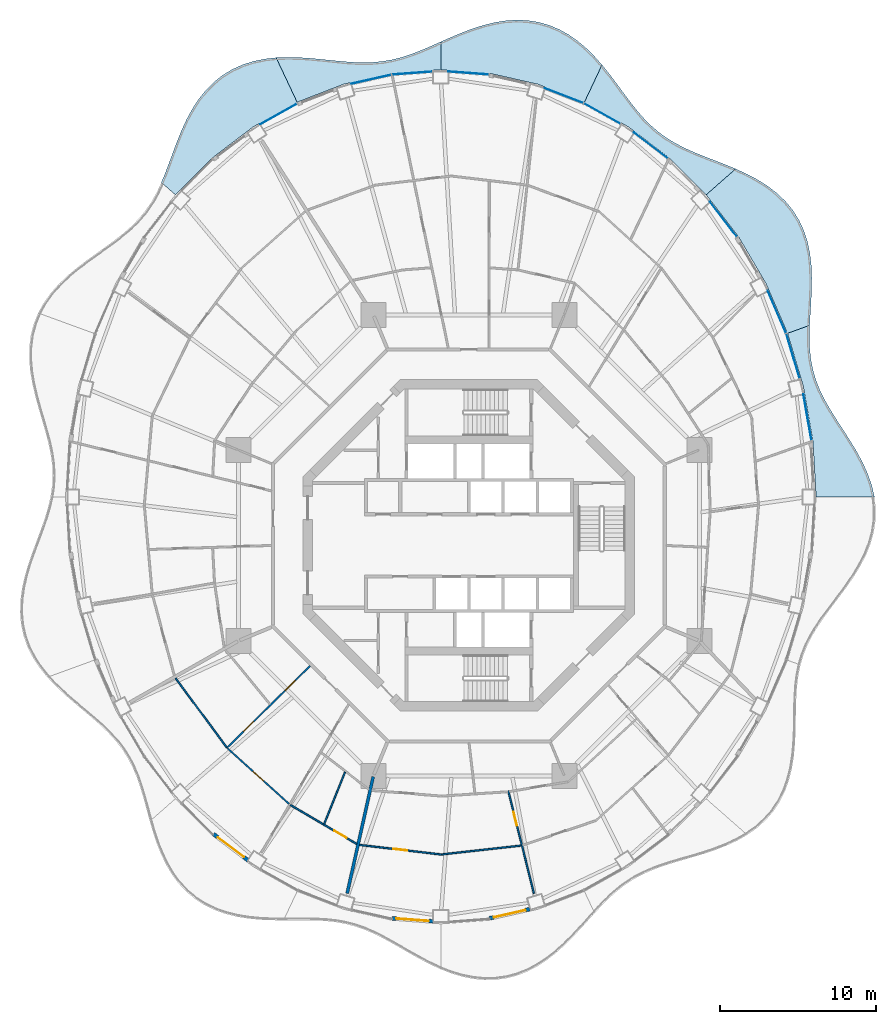
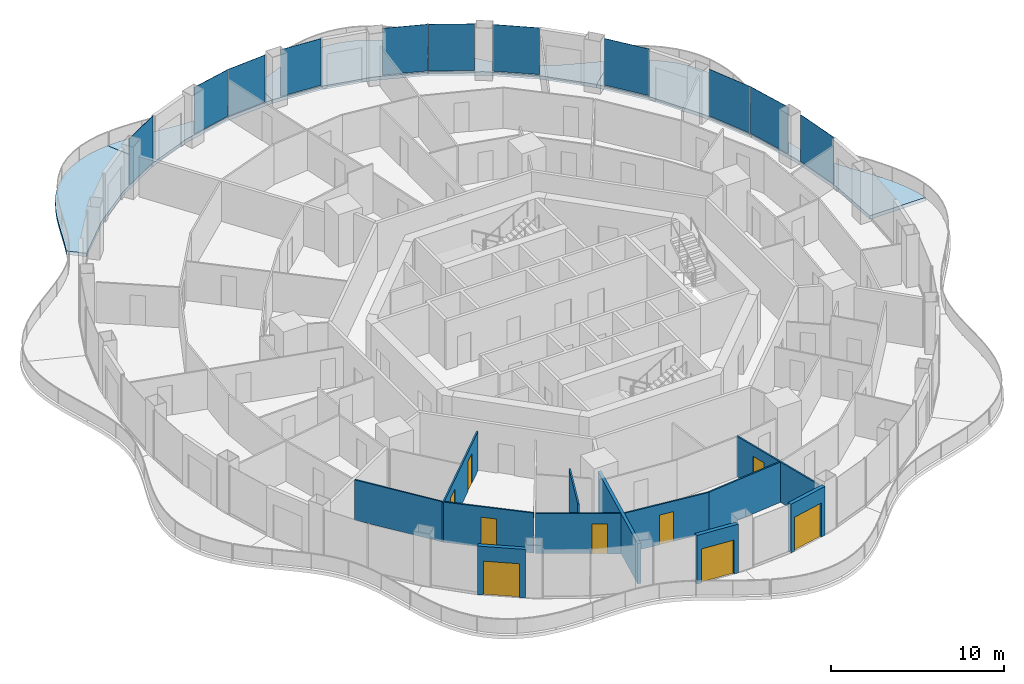
# One storey, part 9 of 18: 12 walls, 11 plates, 9 doors, 6 slabs, 9 openings, 11 elements without a shape of their own.
"""IFC4 building model written with IfcOpenShell, lengths in metres."""

from ifc_helpers import new_model, si_unit, direction, frame, frame_2d, origin, origin_2d, place, context, subcontext, project, spatial, polyline, rectangle, outline, extrude, material, layer, layer_set, type_object, element, fill, aggregate, save


model = new_model("IFC4")

# Units and contexts
model_context = context("Model", 3, precision=1e-05, world=origin(), true_north=direction((0.0, 1.0)))
body_context = subcontext(model_context, "Body", "Model", "MODEL_VIEW")
ifc_project = project(units=[si_unit("LENGTHUNIT", "METRE"), si_unit("AREAUNIT", "SQUARE_METRE"), si_unit("VOLUMEUNIT", "CUBIC_METRE"), si_unit("PLANEANGLEUNIT", "RADIAN"), si_unit("MASSUNIT", "GRAM", prefix="KILO")], contexts=[model_context])

# Site, building, storey
site_placement = place(None, origin())
site = spatial("IfcSite", under=ifc_project, at=site_placement, CompositionType="ELEMENT")
building_placement = place(site_placement, origin())
building = spatial("IfcBuilding", under=site, at=building_placement, Name="Nagisa Residences", CompositionType="ELEMENT")
storey_placement = place(building_placement, frame((0.0, 0.0, 241.800048828125)))
storey = spatial("IfcBuildingStorey", under=building, at=storey_placement, Name="L61", CompositionType="ELEMENT", Elevation=241.800048828125)

# Slabs
ifc_material_1 = material(Name="Concrete C40/50", Category="concrete")
ifc_layer_1 = layer(ifc_material_1, 0.25)
ifc_layer_set_1 = layer_set([ifc_layer_1], Name="BALCONY SLAB 250")
slab_type = type_object("IfcSlabType", Name="BALCONY SLAB 250", PredefinedType="FLOOR", material=ifc_layer_set_1)
slab_1_placement = place(storey_placement, frame((0.0, 0.0, -0.25)))
element("IfcSlab", 1, at=slab_1_placement, inside=storey, type_object=slab_type, Name="slab:L61:bal00", PredefinedType="FLOOR", context=body_context, shape_type="SweptSolid", body=[
    extrude(outline(polyline([(26.0107421875, 3.11767578125), (25.8349609375, 3.86279296875), (25.576904296875, 4.597412109375), (25.25, 5.31787109375), (24.8701171875, 6.021728515625), (24.45556640625, 6.708251953125), (24.02587890625, 7.37841796875), (23.599853515625, 8.0341796875), (23.195556640625, 8.6796875), (22.828857421875, 9.31982421875), (22.512451171875, 9.960693359375), (22.255126953125, 10.608154296875), (22.0615234375, 11.268310546875), (21.931884765625, 11.946044921875), (21.861328125, 12.645751953125), (21.841552734375, 13.369140625), (21.860107421875, 14.1171875), (20.437744140625, 13.599365234375), (21.449951171875, 10.206787109375), (22.06396484375, 6.69287109375), (22.27001953125, 3.11767578125), (26.0107421875, 3.11767578125)])), origin(), (0.0, 0.0, 1.0), 0.25),
])
slab_2_placement = place(storey_placement, frame((0.0, 0.0, -0.25)))
element("IfcSlab", 2, at=slab_2_placement, inside=storey, type_object=slab_type, Name="slab:L61:bal01", PredefinedType="FLOOR", context=body_context, shape_type="SweptSolid", body=[
    extrude(outline(polyline([(21.860107421875, 14.1171875), (21.900634765625, 14.863525390625), (21.947265625, 15.62744140625), (21.983642578125, 16.4033203125), (21.993408203125, 17.184326171875), (21.9609375, 17.9619140625), (21.872802734375, 18.72705078125), (21.717529296875, 19.47021484375), (21.487060546875, 20.18212890625), (21.1767578125, 20.854248046875), (20.785888671875, 21.480224609375), (20.31689453125, 22.054443359375), (19.776123046875, 22.57421875), (19.1728515625, 23.03955078125), (18.518310546875, 23.452880859375), (17.826416015625, 23.819580078125), (17.11083984375, 24.14697265625), (15.219970703125, 22.4853515625), (17.2958984375, 19.791748046875), (19.045166015625, 16.812744140625), (20.437744140625, 13.599365234375), (21.860107421875, 14.1171875)])), origin(), (0.0, 0.0, 1.0), 0.25),
])
slab_3_placement = place(storey_placement, frame((0.0, 0.0, -0.25)))
element("IfcSlab", 3, at=slab_3_placement, inside=storey, type_object=slab_type, Name="slab:L61:bal02", PredefinedType="FLOOR", context=body_context, shape_type="SweptSolid", body=[
    extrude(outline(polyline([(17.11083984375, 24.14697265625), (16.420166015625, 24.431396484375), (15.73291015625, 24.69921875), (15.06005859375, 24.960693359375), (14.409912109375, 25.226806640625), (13.789794921875, 25.508056640625), (13.203369140625, 25.814453125), (12.65283203125, 26.153564453125), (12.136962890625, 26.531982421875), (11.65283203125, 26.953125), (11.194580078125, 27.417724609375), (10.75537109375, 27.924072265625), (10.32666015625, 28.467041015625), (9.8994140625, 29.0390625), (9.46484375, 29.629638671875), (9.013916015625, 30.2265625), (8.539306640625, 30.816162109375), (7.4111328125, 28.4228515625), (10.235107421875, 26.838134765625), (12.852783203125, 24.84765625), (15.219970703125, 22.4853515625), (17.11083984375, 24.14697265625)])), origin(), (0.0, 0.0, 1.0), 0.25),
])
slab_4_placement = place(storey_placement, frame((0.0, 0.0, -0.25)))
element("IfcSlab", 4, at=slab_4_placement, inside=storey, type_object=slab_type, Name="slab:L61:bal03", PredefinedType="FLOOR", context=body_context, shape_type="SweptSolid", body=[
    extrude(outline(polyline([(8.539306640625, 30.816162109375), (8.053466796875, 31.36376953125), (7.535888671875, 31.878173828125), (6.984130859375, 32.34619140625), (6.39794921875, 32.757080078125), (5.779052734375, 33.1005859375), (5.130126953125, 33.369873046875), (4.45556640625, 33.5595703125), (3.76123046875, 33.668212890625), (3.05322265625, 33.6962890625), (2.338134765625, 33.648681640625), (1.622314453125, 33.531494140625), (0.91162109375, 33.3544921875), (0.211181640625, 33.129150390625), (-0.4755859375, 32.8681640625), (-1.146240234375, 32.585693359375), (-1.800048828125, 32.2958984375), (-1.800048828125, 30.5078125), (1.341796875, 30.2734375), (4.4296875, 29.574462890625), (7.4111328125, 28.4228515625), (8.539306640625, 30.816162109375)])), origin(), (0.0, 0.0, 1.0), 0.25),
])
slab_5_placement = place(storey_placement, frame((0.0, 0.0, -0.25)))
element("IfcSlab", 5, at=slab_5_placement, inside=storey, type_object=slab_type, Name="slab:L61:bal04", PredefinedType="FLOOR", context=body_context, shape_type="SweptSolid", body=[
    extrude(outline(polyline([(-1.800048828125, 32.2958984375), (-2.4375, 32.01171875), (-3.061279296875, 31.746337890625), (-3.67431640625, 31.510009765625), (-4.281005859375, 31.3115234375), (-4.88671875, 31.15673828125), (-5.496337890625, 31.04833984375), (-6.114990234375, 30.986328125), (-6.74658203125, 30.967529296875), (-7.394775390625, 30.986328125), (-8.061279296875, 31.0341796875), (-8.74658203125, 31.1005859375), (-9.44970703125, 31.174072265625), (-10.167724609375, 31.2412109375), (-10.895751953125, 31.28955078125), (-11.628173828125, 31.306396484375), (-12.35791015625, 31.27978515625), (-11.01123046875, 28.4228515625), (-8.02978515625, 29.574462890625), (-4.941650390625, 30.2734375), (-1.800048828125, 30.5078125), (-1.800048828125, 32.2958984375)])), origin(), (0.0, 0.0, 1.0), 0.25),
])
slab_6_placement = place(storey_placement, frame((0.0, 0.0, -0.25)))
element("IfcSlab", 6, at=slab_6_placement, inside=storey, type_object=slab_type, Name="slab:L61:bal05", PredefinedType="FLOOR", context=body_context, shape_type="SweptSolid", body=[
    extrude(outline(polyline([(-12.35791015625, 31.27978515625), (-13.103759765625, 31.19580078125), (-13.828857421875, 31.045654296875), (-14.52490234375, 30.82275390625), (-15.18310546875, 30.524169921875), (-15.796875, 30.149658203125), (-16.360595703125, 29.70263671875), (-16.871826171875, 29.188232421875), (-17.3291015625, 28.614990234375), (-17.734619140625, 27.993408203125), (-18.092529296875, 27.334716796875), (-18.4091796875, 26.651123046875), (-18.693115234375, 25.95556640625), (-18.954833984375, 25.260009765625), (-19.204833984375, 24.5751953125), (-19.455322265625, 23.91064453125), (-19.71728515625, 23.273681640625), (-18.820068359375, 22.4853515625), (-16.452880859375, 24.84765625), (-13.8349609375, 26.838134765625), (-11.01123046875, 28.4228515625), (-12.35791015625, 31.27978515625)])), origin(), (0.0, 0.0, 1.0), 0.25),
])

# Curtain wall, plate
ifc_material_2 = material(Name="Concrete-coloured aluminium curtain wall system", Category="concrete")
ifc_layer_2 = layer(ifc_material_2, 0.159912109375)
ifc_layer_set_2 = layer_set([ifc_layer_2], Name="CW1 CURTAIN WALL")
curtain_wall_type = type_object("IfcCurtainWallType", Name="CW1 CURTAIN WALL", PredefinedType="NOTDEFINED", material=ifc_layer_set_2)
curtain_wall_1_placement = place(storey_placement, origin())
curtain_wall_1 = element("IfcCurtainWall", 7, at=curtain_wall_1_placement, inside=storey, type_object=curtain_wall_type, Name="cw:CW1:L61:01", PredefinedType="NOTDEFINED")
ifc_material_3 = material(Name="Clear laminated glass", Category="glass")
ifc_layer_3 = layer(ifc_material_3, 0.028076171875)
ifc_layer_set_3 = layer_set([ifc_layer_3], Name="CW1 GLASS PANEL")
plate_type = type_object("IfcPlateType", Name="CW1 GLASS PANEL", PredefinedType="CURTAIN_PANEL", material=ifc_layer_set_3)
plate_1_placement = place(storey_placement, frame((21.716064453125, 8.21923828125, 0.14990234375), z_axis=(0.0, 0.0, 1.0), x_axis=(-0.172190868898, 0.985063604377, 0.0)))
plate_1 = element("IfcPlate", 8, at=plate_1_placement, type_object=plate_type, Name="CW1 panel", PredefinedType="CURTAIN_PANEL", context=body_context, shape_type="SweptSolid", body=[
    extrude(rectangle(XDim=3.00732421875, YDim=0.028076171875, at=origin_2d()), origin(), (0.0, 0.0, 1.0), 3.2900390625),
])
aggregate(curtain_wall_1, [plate_1])

curtain_wall_2_placement = place(storey_placement, origin())
curtain_wall_2 = element("IfcCurtainWall", 9, at=curtain_wall_2_placement, inside=storey, type_object=curtain_wall_type, Name="cw:CW1:L61:02", PredefinedType="NOTDEFINED")
plate_2_placement = place(storey_placement, frame((20.787109375, 12.1484375, 0.14990234375), z_axis=(0.0, 0.0, 1.0), x_axis=(-0.285860274038, 0.958271310082, 0.0)))
plate_2 = element("IfcPlate", 10, at=plate_2_placement, type_object=plate_type, Name="CW1 panel", PredefinedType="CURTAIN_PANEL", context=body_context, shape_type="SweptSolid", body=[
    extrude(rectangle(XDim=2.98046875, YDim=0.028076171875, at=origin_2d()), origin(), (0.0, 0.0, 1.0), 3.2900390625),
])
aggregate(curtain_wall_2, [plate_2])

curtain_wall_3_placement = place(storey_placement, origin())
curtain_wall_3 = element("IfcCurtainWall", 11, at=curtain_wall_3_placement, inside=storey, type_object=curtain_wall_type, Name="cw:CW1:L61:03", PredefinedType="NOTDEFINED")
plate_3_placement = place(storey_placement, frame((19.755615234375, 14.972412109375, 0.14990234375), z_axis=(0.0, 0.0, 1.0), x_axis=(-0.397635934147, 0.917543276295, 0.0)))
plate_3 = element("IfcPlate", 12, at=plate_3_placement, type_object=plate_type, Name="CW1 panel", PredefinedType="CURTAIN_PANEL", context=body_context, shape_type="SweptSolid", body=[
    extrude(rectangle(XDim=2.942138671875, YDim=0.028076171875, at=origin_2d()), origin(), (0.0, 0.0, 1.0), 3.2900390625),
])
aggregate(curtain_wall_3, [plate_3])

curtain_wall_4_placement = place(storey_placement, origin())
curtain_wall_4 = element("IfcCurtainWall", 13, at=curtain_wall_4_placement, inside=storey, type_object=curtain_wall_type, Name="cw:CW1:L61:05", PredefinedType="NOTDEFINED")
plate_4_placement = place(storey_placement, frame((16.328857421875, 20.91552734375, 0.14990234375), z_axis=(0.0, 0.0, 1.0), x_axis=(-0.610429828235, 0.792070340816, 0.0)))
plate_4 = element("IfcPlate", 14, at=plate_4_placement, type_object=plate_type, Name="CW1 panel", PredefinedType="CURTAIN_PANEL", context=body_context, shape_type="SweptSolid", body=[
    extrude(rectangle(XDim=2.8408203125, YDim=0.028076171875, at=origin_2d()), origin(), (0.0, 0.0, 1.0), 3.2900390625),
])
aggregate(curtain_wall_4, [plate_4])

curtain_wall_5_placement = place(storey_placement, origin())
curtain_wall_5 = element("IfcCurtainWall", 15, at=curtain_wall_5_placement, inside=storey, type_object=curtain_wall_type, Name="cw:CW1:L61:07", PredefinedType="NOTDEFINED")
plate_5_placement = place(storey_placement, frame((11.670654296875, 25.64599609375, 0.14990234375), z_axis=(0.0, 0.0, 1.0), x_axis=(-0.79603132756, 0.605255421737, 0.0)))
plate_5 = element("IfcPlate", 16, at=plate_5_placement, type_object=plate_type, Name="CW1 panel", PredefinedType="CURTAIN_PANEL", context=body_context, shape_type="SweptSolid", body=[
    extrude(rectangle(XDim=2.728759765625, YDim=0.028076171875, at=origin_2d()), origin(), (0.0, 0.0, 1.0), 3.2900390625),
])
aggregate(curtain_wall_5, [plate_5])

curtain_wall_6_placement = place(storey_placement, origin())
curtain_wall_6 = element("IfcCurtainWall", 17, at=curtain_wall_6_placement, inside=storey, type_object=curtain_wall_type, Name="cw:CW1:L61:08", PredefinedType="NOTDEFINED")
plate_6_placement = place(storey_placement, frame((8.539794921875, 27.69775390625, 0.14990234375), z_axis=(0.0, 0.0, 1.0), x_axis=(-0.872072377523, 0.489376918501, 0.0)))
plate_6 = element("IfcPlate", 18, at=plate_6_placement, type_object=plate_type, Name="CW1 panel", PredefinedType="CURTAIN_PANEL", context=body_context, shape_type="SweptSolid", body=[
    extrude(rectangle(XDim=2.677978515625, YDim=0.028076171875, at=origin_2d()), origin(), (0.0, 0.0, 1.0), 3.2900390625),
])
aggregate(curtain_wall_6, [plate_6])

curtain_wall_7_placement = place(storey_placement, origin())
curtain_wall_7 = element("IfcCurtainWall", 19, at=curtain_wall_7_placement, inside=storey, type_object=curtain_wall_type, Name="cw:CW1:L61:09", PredefinedType="NOTDEFINED")
plate_7_placement = place(storey_placement, frame((6.096923828125, 28.8447265625, 0.14990234375), z_axis=(0.0, 0.0, 1.0), x_axis=(-0.932825759707, 0.360327770268, 0.0)))
plate_7 = element("IfcPlate", 20, at=plate_7_placement, type_object=plate_type, Name="CW1 panel", PredefinedType="CURTAIN_PANEL", context=body_context, shape_type="SweptSolid", body=[
    extrude(rectangle(XDim=2.63623046875, YDim=0.028076171875, at=origin_2d()), origin(), (0.0, 0.0, 1.0), 3.2900390625),
])
aggregate(curtain_wall_7, [plate_7])

curtain_wall_8_placement = place(storey_placement, origin())
curtain_wall_8 = element("IfcCurtainWall", 21, at=curtain_wall_8_placement, inside=storey, type_object=curtain_wall_type, Name="cw:CW1:L61:11", PredefinedType="NOTDEFINED")
plate_8_placement = place(storey_placement, frame((-0.015625, 30.29443359375, 0.14990234375), z_axis=(0.0, 0.0, 1.0), x_axis=(-0.997230168512, 0.074377355493, 0.0)))
plate_8 = element("IfcPlate", 22, at=plate_8_placement, type_object=plate_type, Name="CW1 panel", PredefinedType="CURTAIN_PANEL", context=body_context, shape_type="SweptSolid", body=[
    extrude(rectangle(XDim=2.590576171875, YDim=0.028076171875, at=origin_2d()), origin(), (0.0, 0.0, 1.0), 3.2900390625),
])
aggregate(curtain_wall_8, [plate_8])

curtain_wall_9_placement = place(storey_placement, origin())
curtain_wall_9 = element("IfcCurtainWall", 23, at=curtain_wall_9_placement, inside=storey, type_object=curtain_wall_type, Name="cw:CW1:L61:12", PredefinedType="NOTDEFINED")
plate_9_placement = place(storey_placement, frame((-3.64404296875, 30.2900390625, 0.14990234375), z_axis=(0.0, 0.0, 1.0), x_axis=(-0.997230168512, -0.074377355493, 0.0)))
plate_9 = element("IfcPlate", 24, at=plate_9_placement, type_object=plate_type, Name="CW1 panel", PredefinedType="CURTAIN_PANEL", context=body_context, shape_type="SweptSolid", body=[
    extrude(rectangle(XDim=2.590576171875, YDim=0.028076171875, at=origin_2d()), origin(), (0.0, 0.0, 1.0), 3.2900390625),
])
aggregate(curtain_wall_9, [plate_9])

curtain_wall_10_placement = place(storey_placement, origin())
curtain_wall_10 = element("IfcCurtainWall", 25, at=curtain_wall_10_placement, inside=storey, type_object=curtain_wall_type, Name="cw:CW1:L61:13", PredefinedType="NOTDEFINED")
plate_10_placement = place(storey_placement, frame((-6.25341796875, 29.89453125, 0.14990234375), z_axis=(0.0, 0.0, 1.0), x_axis=(-0.975327274089, -0.2207639201, 0.0)))
plate_10 = element("IfcPlate", 26, at=plate_10_placement, type_object=plate_type, Name="CW1 panel", PredefinedType="CURTAIN_PANEL", context=body_context, shape_type="SweptSolid", body=[
    extrude(rectangle(XDim=2.606201171875, YDim=0.028076171875, at=origin_2d()), origin(), (0.0, 0.0, 1.0), 3.2900390625),
])
aggregate(curtain_wall_10, [plate_10])

curtain_wall_11_placement = place(storey_placement, origin())
curtain_wall_11 = element("IfcCurtainWall", 27, at=curtain_wall_11_placement, inside=storey, type_object=curtain_wall_type, Name="cw:CW1:L61:15", PredefinedType="NOTDEFINED")
plate_11_placement = place(storey_placement, frame((-12.192138671875, 27.66845703125, 0.14990234375), z_axis=(0.0, 0.0, 1.0), x_axis=(-0.872072377523, -0.489376918501, 0.0)))
plate_11 = element("IfcPlate", 28, at=plate_11_placement, type_object=plate_type, Name="CW1 panel", PredefinedType="CURTAIN_PANEL", context=body_context, shape_type="SweptSolid", body=[
    extrude(rectangle(XDim=2.677978515625, YDim=0.028076171875, at=origin_2d()), origin(), (0.0, 0.0, 1.0), 3.2900390625),
])
aggregate(curtain_wall_11, [plate_11])

# Walls
ifc_material_4 = material(Name="Gypsum board on steel studs", Category="steel")
ifc_layer_4 = layer(ifc_material_4, 0.199951171875)
ifc_layer_set_4 = layer_set([ifc_layer_4], Name="Apartment compartment wall EI60 200")
wall_type_1 = type_object("IfcWallType", Name="Apartment compartment wall EI60 200", PredefinedType="PARTITIONING", material=ifc_layer_set_4)
wall_1_placement = place(storey_placement, frame((-6.1337890625, -14.830810546875, 0.0), z_axis=(0.0, 0.0, 1.0), x_axis=(-0.217500172543, -0.976060282433, 0.0)))
element("IfcWall", 29, at=wall_1_placement, inside=storey, type_object=wall_type_1, Name="wall:L61:u05", PredefinedType="PARTITIONING", context=body_context, shape_type="SweptSolid", body=[
    extrude(rectangle(XDim=7.667724609375, YDim=0.199951171875, at=frame_2d((3.833984375, 0.0))), origin(), (0.0, 0.0, 1.0), 2.8369140625),
])
ifc_material_5 = material(Name="Gypsum board on steel studs", Category="steel")
ifc_layer_5 = layer(ifc_material_5, 0.10009765625)
ifc_layer_set_5 = layer_set([ifc_layer_5], Name="Apartment partition 100")
wall_type_2 = type_object("IfcWallType", Name="Apartment partition 100", PredefinedType="PARTITIONING", material=ifc_layer_set_5)
wall_2_placement = place(storey_placement, frame((-18.804443359375, -8.515625, 0.0), z_axis=(0.0, 0.0, 1.0), x_axis=(0.593233851441, -0.80503018422, 0.0)))
element("IfcWall", 30, at=wall_2_placement, inside=storey, type_object=wall_type_2, Name="wall:L61:u66", PredefinedType="PARTITIONING", context=body_context, shape_type="SweptSolid", body=[
    extrude(rectangle(XDim=5.501953125, YDim=0.10009765625, at=frame_2d((2.7509765625, 0.0))), origin(), (0.0, 0.0, 1.0), 2.8369140625),
])

# Wall, openings, doors
wall_3_placement = place(storey_placement, frame((-10.1826171875, -7.728271484375, 0.0), z_axis=(0.0, 0.0, 1.0), x_axis=(-0.711869910979, -0.702311348223, 0.0)))
wall_3 = element("IfcWall", 31, at=wall_3_placement, inside=storey, type_object=wall_type_2, Name="wall:L61:u67", PredefinedType="PARTITIONING", context=body_context, shape_type="SweptSolid", body=[
    extrude(rectangle(XDim=7.53466796875, YDim=0.10009765625, at=frame_2d((3.767333984375, 0.0))), origin(), (0.0, 0.0, 1.0), 2.761962890625),
])
opening_1_placement = place(wall_3_placement, frame((1.335205078125, 0.0, 0.0)))
opening_1 = element("IfcOpeningElement", 32, at=opening_1_placement, cuts=wall_3, Name="Opening L61-U02", PredefinedType="OPENING", context=body_context, shape_type="SweptSolid", body=[
    extrude(rectangle(XDim=0.89990234375, YDim=2.10009765625, at=frame_2d((0.449951171875, 1.050048828125))), frame((0.0, 0.06005859375, 0.0), z_axis=(0.0, -1.0, 0.0), x_axis=(1.0, 0.0, 0.0)), (0.0, 0.0, 1.0), 0.1201171875),
])
opening_2_placement = place(wall_3_placement, frame((5.077392578125, 0.0, 0.0)))
opening_2 = element("IfcOpeningElement", 33, at=opening_2_placement, cuts=wall_3, Name="Opening L61-U04", PredefinedType="OPENING", context=body_context, shape_type="SweptSolid", body=[
    extrude(rectangle(XDim=0.89990234375, YDim=2.10009765625, at=frame_2d((0.449951171875, 1.050048828125))), frame((0.0, 0.06005859375, 0.0), z_axis=(0.0, -1.0, 0.0), x_axis=(1.0, 0.0, 0.0)), (0.0, 0.0, 1.0), 0.1201171875),
])
ifc_material_6 = material(Name="Timber door set", Category="wood")
door_type_1 = type_object("IfcDoorType", Name="Apartment door 900x2100", OperationType="NOTDEFINED", PredefinedType="DOOR", material=ifc_material_6)
door_1_placement = place(opening_1_placement, frame((0.89990234375, 0.0, 0.0), x_axis=(-1.0, 0.0, 0.0)))
door_1 = element("IfcDoor", 34, at=door_1_placement, inside=storey, type_object=door_type_1, Name="Door to laundry, Apartment 61A", OperationType="SINGLE_SWING_LEFT", OverallHeight=2.10009765625, OverallWidth=0.89990234375, PredefinedType="DOOR", context=body_context, shape_type="SweptSolid", body=[
    extrude(rectangle(XDim=0.89990234375, YDim=2.10009765625, at=frame_2d((0.449951171875, 1.050048828125))), frame((0.0, 0.02490234375, 0.0), z_axis=(0.0, -1.0, 0.0), x_axis=(1.0, 0.0, 0.0)), (0.0, 0.0, 1.0), 0.050048828125),
])
fill(opening_1, door_1)
door_2_placement = place(opening_2_placement, frame((0.89990234375, 0.0, 0.0), x_axis=(-1.0, 0.0, 0.0)))
door_2 = element("IfcDoor", 35, at=door_2_placement, inside=storey, type_object=door_type_1, Name="Door to kitchen, Apartment 61A", OperationType="SINGLE_SWING_LEFT", OverallHeight=2.10009765625, OverallWidth=0.89990234375, PredefinedType="DOOR", context=body_context, shape_type="SweptSolid", body=[
    extrude(rectangle(XDim=0.89990234375, YDim=2.10009765625, at=frame_2d((0.449951171875, 1.050048828125))), frame((0.0, 0.02490234375, 0.0), z_axis=(0.0, -1.0, 0.0), x_axis=(1.0, 0.0, 0.0)), (0.0, 0.0, 1.0), 0.050048828125),
])
fill(opening_2, door_2)

# Wall, opening, door
wall_4_placement = place(storey_placement, frame((-15.4736328125, -13.0185546875, 0.0), z_axis=(0.0, 0.0, 1.0), x_axis=(0.742348572616, -0.670013878017, 0.0)))
wall_4 = element("IfcWall", 36, at=wall_4_placement, inside=storey, type_object=wall_type_2, Name="wall:L61:u68", PredefinedType="PARTITIONING", context=body_context, shape_type="SweptSolid", body=[
    extrude(rectangle(XDim=5.3193359375, YDim=0.10009765625, at=frame_2d((2.65966796875, 0.0))), origin(), (0.0, 0.0, 1.0), 2.8369140625),
])
opening_3_placement = place(wall_4_placement, frame((2.209716796875, 0.0, 0.0)))
opening_3 = element("IfcOpeningElement", 37, at=opening_3_placement, cuts=wall_4, Name="Opening L61-U06", PredefinedType="OPENING", context=body_context, shape_type="SweptSolid", body=[
    extrude(rectangle(XDim=0.89990234375, YDim=2.10009765625, at=frame_2d((0.449951171875, 1.050048828125))), frame((0.0, 0.06005859375, 0.0), z_axis=(0.0, -1.0, 0.0), x_axis=(1.0, 0.0, 0.0)), (0.0, 0.0, 1.0), 0.1201171875),
])
door_3_placement = place(opening_3_placement, frame((0.89990234375, 0.0, 0.0), x_axis=(-1.0, 0.0, 0.0)))
door_3 = element("IfcDoor", 38, at=door_3_placement, inside=storey, type_object=door_type_1, Name="Door to living room, Apartment 61A", OperationType="SINGLE_SWING_LEFT", OverallHeight=2.10009765625, OverallWidth=0.89990234375, PredefinedType="DOOR", context=body_context, shape_type="SweptSolid", body=[
    extrude(rectangle(XDim=0.89990234375, YDim=2.10009765625, at=frame_2d((0.449951171875, 1.050048828125))), frame((0.0, 0.02490234375, 0.0), z_axis=(0.0, -1.0, 0.0), x_axis=(1.0, 0.0, 0.0)), (0.0, 0.0, 1.0), 0.050048828125),
])
fill(opening_3, door_3)

wall_5_placement = place(storey_placement, frame((-11.444580078125, -16.641357421875, 0.0), z_axis=(0.0, 0.0, 1.0), x_axis=(0.861568986754, -0.507640503766, 0.0)))
wall_5 = element("IfcWall", 39, at=wall_5_placement, inside=storey, type_object=wall_type_2, Name="wall:L61:u71", PredefinedType="PARTITIONING", context=body_context, shape_type="SweptSolid", body=[
    extrude(rectangle(XDim=4.934814453125, YDim=0.10009765625, at=frame_2d((2.46728515625, 0.0))), origin(), (0.0, 0.0, 1.0), 2.8369140625),
])
opening_4_placement = place(wall_5_placement, frame((3.263671875, 0.0, 0.0)))
opening_4 = element("IfcOpeningElement", 40, at=opening_4_placement, cuts=wall_5, Name="Opening L61-U08", PredefinedType="OPENING", context=body_context, shape_type="SweptSolid", body=[
    extrude(rectangle(XDim=0.89990234375, YDim=2.10009765625, at=frame_2d((0.449951171875, 1.050048828125))), frame((0.0, 0.06005859375, 0.0), z_axis=(0.0, -1.0, 0.0), x_axis=(1.0, 0.0, 0.0)), (0.0, 0.0, 1.0), 0.1201171875),
])
door_4_placement = place(opening_4_placement, origin())
door_4 = element("IfcDoor", 41, at=door_4_placement, inside=storey, type_object=door_type_1, Name="Door to en-suite bathroom, Apartment 61A", OperationType="SINGLE_SWING_RIGHT", OverallHeight=2.10009765625, OverallWidth=0.89990234375, PredefinedType="DOOR", context=body_context, shape_type="SweptSolid", body=[
    extrude(rectangle(XDim=0.89990234375, YDim=2.10009765625, at=frame_2d((0.449951171875, 1.050048828125))), frame((0.0, 0.02490234375, 0.0), z_axis=(0.0, -1.0, 0.0), x_axis=(1.0, 0.0, 0.0)), (0.0, 0.0, 1.0), 0.050048828125),
])
fill(opening_4, door_4)

# Wall
wall_6_placement = place(storey_placement, frame((-7.93896484375, -14.530517578125, 0.0), z_axis=(0.0, 0.0, 1.0), x_axis=(-0.373254758443, -0.927728885666, 0.0)))
element("IfcWall", 42, at=wall_6_placement, inside=storey, type_object=wall_type_2, Name="wall:L61:u72", PredefinedType="PARTITIONING", context=body_context, shape_type="SweptSolid", body=[
    extrude(rectangle(XDim=3.5888671875, YDim=0.10009765625, at=frame_2d((1.79443359375, 0.0))), origin(), (0.0, 0.0, 1.0), 3.43994140625),
])

# Wall, opening, door
wall_7_placement = place(storey_placement, frame((-7.007568359375, -19.208984375, 0.0), z_axis=(0.0, 0.0, 1.0), x_axis=(0.993173459887, -0.116646811258, 0.0)))
wall_7 = element("IfcWall", 43, at=wall_7_placement, inside=storey, type_object=wall_type_2, Name="wall:L61:u74", PredefinedType="PARTITIONING", context=body_context, shape_type="SweptSolid", body=[
    extrude(rectangle(XDim=5.318359375, YDim=0.10009765625, at=frame_2d((2.6591796875, 0.0))), origin(), (0.0, 0.0, 1.0), 2.8369140625),
])
opening_5_placement = place(wall_7_placement, frame((2.18408203125, 0.0, 0.0)))
opening_5 = element("IfcOpeningElement", 44, at=opening_5_placement, cuts=wall_7, Name="Opening L61-U18", PredefinedType="OPENING", context=body_context, shape_type="SweptSolid", body=[
    extrude(rectangle(XDim=0.89990234375, YDim=2.10009765625, at=frame_2d((0.449951171875, 1.050048828125))), frame((0.0, 0.06005859375, 0.0), z_axis=(0.0, -1.0, 0.0), x_axis=(1.0, 0.0, 0.0)), (0.0, 0.0, 1.0), 0.1201171875),
])
door_5_placement = place(opening_5_placement, frame((0.89990234375, 0.0, 0.0), x_axis=(-1.0, 0.0, 0.0)))
door_5 = element("IfcDoor", 45, at=door_5_placement, inside=storey, type_object=door_type_1, Name="Door to living room, Apartment 61B", OperationType="SINGLE_SWING_LEFT", OverallHeight=2.10009765625, OverallWidth=0.89990234375, PredefinedType="DOOR", context=body_context, shape_type="SweptSolid", body=[
    extrude(rectangle(XDim=0.89990234375, YDim=2.10009765625, at=frame_2d((0.449951171875, 1.050048828125))), frame((0.0, 0.02490234375, 0.0), z_axis=(0.0, -1.0, 0.0), x_axis=(1.0, 0.0, 0.0)), (0.0, 0.0, 1.0), 0.050048828125),
])
fill(opening_5, door_5)

# Wall
wall_8_placement = place(storey_placement, frame((-1.7255859375, -19.81787109375, 0.0), z_axis=(0.0, 0.0, 1.0), x_axis=(0.99381893047, 0.111013212902, 0.0)))
element("IfcWall", 46, at=wall_8_placement, inside=storey, type_object=wall_type_2, Name="wall:L61:u76", PredefinedType="PARTITIONING", context=body_context, shape_type="SweptSolid", body=[
    extrude(rectangle(XDim=5.113037109375, YDim=0.10009765625, at=frame_2d((2.556640625, 0.0))), origin(), (0.0, 0.0, 1.0), 2.8369140625),
])

# Wall, opening, door
wall_9_placement = place(storey_placement, frame((2.53125, -15.74853515625, 0.0), z_axis=(0.0, 0.0, 1.0), x_axis=(0.242645858264, -0.970114935184, 0.0)))
wall_9 = element("IfcWall", 47, at=wall_9_placement, inside=storey, type_object=wall_type_2, Name="wall:L61:u78", PredefinedType="PARTITIONING", context=body_context, shape_type="SweptSolid", body=[
    extrude(rectangle(XDim=6.7744140625, YDim=0.10009765625, at=frame_2d((3.38720703125, 0.0))), origin(), (0.0, 0.0, 1.0), 2.8369140625),
])
opening_6_placement = place(wall_9_placement, frame((1.376953125, 0.0, 0.0)))
opening_6 = element("IfcOpeningElement", 48, at=opening_6_placement, cuts=wall_9, Name="Opening L61-U17", PredefinedType="OPENING", context=body_context, shape_type="SweptSolid", body=[
    extrude(rectangle(XDim=0.89990234375, YDim=2.10009765625, at=frame_2d((0.449951171875, 1.050048828125))), frame((0.0, 0.06005859375, 0.0), z_axis=(0.0, -1.0, 0.0), x_axis=(1.0, 0.0, 0.0)), (0.0, 0.0, 1.0), 0.1201171875),
])
door_6_placement = place(opening_6_placement, frame((0.89990234375, 0.0, 0.0), x_axis=(-1.0, 0.0, 0.0)))
door_6 = element("IfcDoor", 49, at=door_6_placement, inside=storey, type_object=door_type_1, Name="Door to kitchen, Apartment 61B", OperationType="SINGLE_SWING_RIGHT", OverallHeight=2.10009765625, OverallWidth=0.89990234375, PredefinedType="DOOR", context=body_context, shape_type="SweptSolid", body=[
    extrude(rectangle(XDim=0.89990234375, YDim=2.10009765625, at=frame_2d((0.449951171875, 1.050048828125))), frame((0.0, 0.02490234375, 0.0), z_axis=(0.0, -1.0, 0.0), x_axis=(1.0, 0.0, 0.0)), (0.0, 0.0, 1.0), 0.050048828125),
])
fill(opening_6, door_6)

ifc_material_7 = material(Name="Precast concrete C40/50", Category="concrete")
ifc_layer_6 = layer(ifc_material_7, 0.25)
ifc_layer_set_6 = layer_set([ifc_layer_6], Name="BALCONY DOOR WALL 250")
wall_type_3 = type_object("IfcWallType", Name="BALCONY DOOR WALL 250", PredefinedType="SOLIDWALL", material=ifc_layer_set_6)
wall_10_placement = place(storey_placement, frame((-14.157470703125, -20.20068359375, 0.0), z_axis=(0.0, 0.0, 1.0), x_axis=(-0.795990084031, 0.60530966135, 0.0)))
wall_10 = element("IfcWall", 50, at=wall_10_placement, inside=storey, type_object=wall_type_3, Name="wall:L61:bay31", PredefinedType="SOLIDWALL", context=body_context, shape_type="SweptSolid", body=[
    extrude(rectangle(XDim=2.78857421875, YDim=0.25, at=frame_2d((1.394287109375, 0.0))), origin(), (0.0, 0.0, 1.0), 3.43994140625),
])
opening_7_placement = place(wall_10_placement, frame((0.34423828125, 0.0, 0.0)))
opening_7 = element("IfcOpeningElement", 51, at=opening_7_placement, cuts=wall_10, Name="Opening BD-L61-11", PredefinedType="OPENING", context=body_context, shape_type="SweptSolid", body=[
    extrude(rectangle(XDim=2.10009765625, YDim=2.39990234375, at=frame_2d((1.050048828125, 1.199951171875))), frame((0.0, 0.135009765625, 0.0), z_axis=(0.0, -1.0, 0.0), x_axis=(1.0, 0.0, 0.0)), (0.0, 0.0, 1.0), 0.27001953125),
])
ifc_material_8 = material(Name="Aluminium and clear glass", Category="aluminium")
door_type_2 = type_object("IfcDoorType", Name="BALCONY SLIDING DOOR 2100x2400", OperationType="SLIDING_TO_LEFT", PredefinedType="DOOR", material=ifc_material_8)
door_7_placement = place(opening_7_placement, origin())
door_7 = element("IfcDoor", 52, at=door_7_placement, inside=storey, type_object=door_type_2, Name="door:L61:bay31", OperationType="SLIDING_TO_LEFT", OverallHeight=2.39990234375, OverallWidth=2.10009765625, PredefinedType="DOOR", context=body_context, shape_type="SweptSolid", body=[
    extrude(rectangle(XDim=2.10009765625, YDim=2.39990234375, at=frame_2d((1.050048828125, 1.199951171875))), frame((0.0, 0.02490234375, 0.0), z_axis=(0.0, -1.0, 0.0), x_axis=(1.0, 0.0, 0.0)), (0.0, 0.0, 1.0), 0.050048828125),
])
fill(opening_7, door_7)

wall_11_placement = place(storey_placement, frame((-2.289306640625, -24.1103515625, 0.0), z_axis=(0.0, 0.0, 1.0), x_axis=(-0.997233213085, 0.074336523458, 0.0)))
wall_11 = element("IfcWall", 53, at=wall_11_placement, inside=storey, type_object=wall_type_3, Name="wall:L61:bay35", PredefinedType="SOLIDWALL", context=body_context, shape_type="SweptSolid", body=[
    extrude(rectangle(XDim=2.650390625, YDim=0.25, at=frame_2d((1.3251953125, 0.0))), origin(), (0.0, 0.0, 1.0), 3.43994140625),
])
opening_8_placement = place(wall_11_placement, frame((0.275146484375, 0.0, 0.0)))
opening_8 = element("IfcOpeningElement", 54, at=opening_8_placement, cuts=wall_11, Name="Opening BD-L61-12", PredefinedType="OPENING", context=body_context, shape_type="SweptSolid", body=[
    extrude(rectangle(XDim=2.10009765625, YDim=2.39990234375, at=frame_2d((1.050048828125, 1.199951171875))), frame((0.0, 0.135009765625, 0.0), z_axis=(0.0, -1.0, 0.0), x_axis=(1.0, 0.0, 0.0)), (0.0, 0.0, 1.0), 0.27001953125),
])
door_8_placement = place(opening_8_placement, origin())
door_8 = element("IfcDoor", 55, at=door_8_placement, inside=storey, type_object=door_type_2, Name="door:L61:bay35", OperationType="SLIDING_TO_LEFT", OverallHeight=2.39990234375, OverallWidth=2.10009765625, PredefinedType="DOOR", context=body_context, shape_type="SweptSolid", body=[
    extrude(rectangle(XDim=2.10009765625, YDim=2.39990234375, at=frame_2d((1.050048828125, 1.199951171875))), frame((0.0, 0.02490234375, 0.0), z_axis=(0.0, -1.0, 0.0), x_axis=(1.0, 0.0, 0.0)), (0.0, 0.0, 1.0), 0.050048828125),
])
fill(opening_8, door_8)

wall_12_placement = place(storey_placement, frame((3.91455078125, -23.327392578125, 0.0), z_axis=(0.0, 0.0, 1.0), x_axis=(-0.975324089124, -0.220777990694, 0.0)))
wall_12 = element("IfcWall", 56, at=wall_12_placement, inside=storey, type_object=wall_type_3, Name="wall:L61:bay37", PredefinedType="SOLIDWALL", context=body_context, shape_type="SweptSolid", body=[
    extrude(rectangle(XDim=2.666015625, YDim=0.25, at=frame_2d((1.3330078125, 0.0))), origin(), (0.0, 0.0, 1.0), 3.43994140625),
])
opening_9_placement = place(wall_12_placement, frame((0.282958984375, 0.0, 0.0)))
opening_9 = element("IfcOpeningElement", 57, at=opening_9_placement, cuts=wall_12, Name="Opening BD-L61-13", PredefinedType="OPENING", context=body_context, shape_type="SweptSolid", body=[
    extrude(rectangle(XDim=2.10009765625, YDim=2.39990234375, at=frame_2d((1.050048828125, 1.199951171875))), frame((0.0, 0.135009765625, 0.0), z_axis=(0.0, -1.0, 0.0), x_axis=(1.0, 0.0, 0.0)), (0.0, 0.0, 1.0), 0.27001953125),
])
door_9_placement = place(opening_9_placement, origin())
door_9 = element("IfcDoor", 58, at=door_9_placement, inside=storey, type_object=door_type_2, Name="door:L61:bay37", OperationType="SLIDING_TO_LEFT", OverallHeight=2.39990234375, OverallWidth=2.10009765625, PredefinedType="DOOR", context=body_context, shape_type="SweptSolid", body=[
    extrude(rectangle(XDim=2.10009765625, YDim=2.39990234375, at=frame_2d((1.050048828125, 1.199951171875))), frame((0.0, 0.02490234375, 0.0), z_axis=(0.0, -1.0, 0.0), x_axis=(1.0, 0.0, 0.0)), (0.0, 0.0, 1.0), 0.050048828125),
])
fill(opening_9, door_9)

save(model, "model.ifc")
